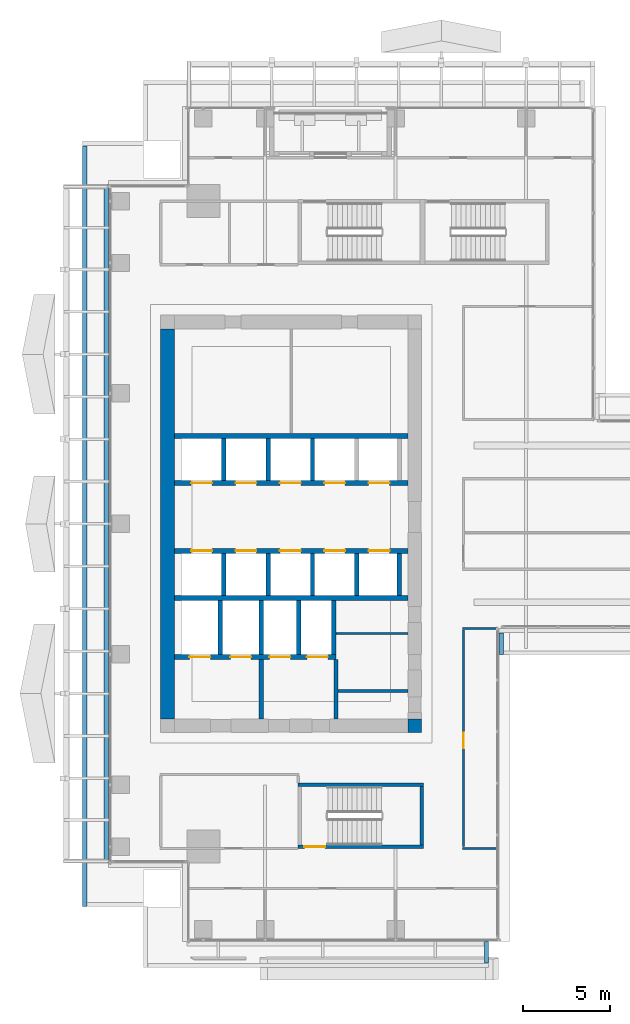
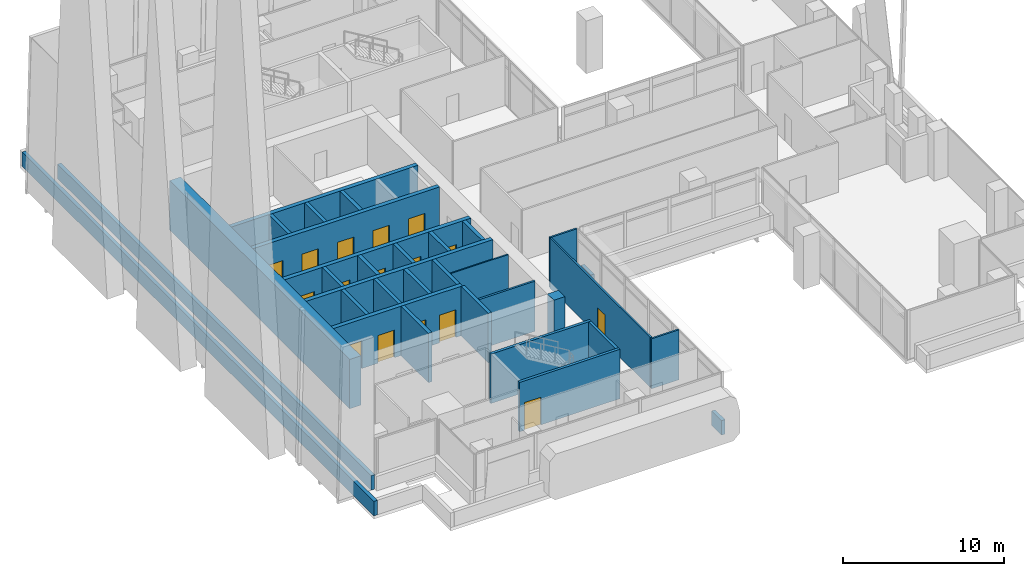
# One storey, part 34 of 43: 33 walls, 16 doors, 16 openings.
"""IFC4 building model written with IfcOpenShell, lengths in metres."""

import ifcopenshell
import ifcopenshell.guid

model = None  # the IFC model being written
_history = None  # IfcOwnerHistory: only IFC2X3 demands one
_inside = {}  # id of a spatial element -> (the spatial element, [elements in it])
_under = {}  # id of a project, library or spatial element -> (it, [spatial elements below it])
_declared = {}  # id of a project -> (the project, [libraries it declares])
_typed = {}  # id of a type object -> (the type object, [elements of that type])
_made_of = {}  # id of a material, layer set ... -> (it, [elements and type objects made of it])


def new_model(schema):
    """Start an empty IFC model of exactly this schema.

    Asked for "IFC4X3", IfcOpenShell would pick the latest addendum, in which some entities
    have other attributes; the version numbers below select the first issue.
    IFC2X3 requires an IfcOwnerHistory on every rooted entity: one is made here for all.
    """
    global model, _history
    if schema == "IFC4X3":
        model = ifcopenshell.file(schema_version=(4, 3, 0, 0))
    else:
        model = ifcopenshell.file(schema=schema)
    _inside.clear()
    _under.clear()
    _declared.clear()
    _typed.clear()
    _made_of.clear()
    _history = None
    if model.schema == "IFC2X3":
        org = make("IfcOrganization", Name="unknown")
        user = make(
            "IfcPersonAndOrganization",
            ThePerson=make("IfcPerson", FamilyName="unknown"),
            TheOrganization=org,
        )
        app = make(
            "IfcApplication",
            ApplicationDeveloper=org,
            Version="unknown",
            ApplicationFullName="unknown",
            ApplicationIdentifier="unknown",
        )
        _history = make(
            "IfcOwnerHistory",
            OwningUser=user,
            OwningApplication=app,
            ChangeAction="ADDED",
            CreationDate=0,
        )
    return model


def make(cls, **values):
    """One entity of the class cls with the attributes given. An attribute that is None is left unset."""
    return model.create_entity(
        cls, **{name: value for name, value in values.items() if value is not None}
    )


def rooted(cls, **values):
    """An entity with a GlobalId (a new one), such as an element, a storey or a relation."""
    return make(cls, GlobalId=ifcopenshell.guid.new(), OwnerHistory=_history, **values)


def si_unit(unit_type, name, prefix=None):
    """IfcSIUnit, for example si_unit("LENGTHUNIT", "METRE", prefix="MILLI")."""
    return make("IfcSIUnit", UnitType=unit_type, Prefix=prefix, Name=name)


def assignment(units):
    """IfcUnitAssignment: the units of a project."""
    return None if units is None else make("IfcUnitAssignment", Units=units)


def point(xyz):
    """IfcCartesianPoint."""
    return None if xyz is None else make("IfcCartesianPoint", Coordinates=xyz)


def direction(xyz):
    """IfcDirection."""
    return None if xyz is None else make("IfcDirection", DirectionRatios=xyz)


def frame(location, z_axis=None, x_axis=None):
    """IfcAxis2Placement3D, a coordinate frame: its origin and axes. An axis left out is left unset."""
    return make(
        "IfcAxis2Placement3D",
        Location=point(location),
        Axis=direction(z_axis),
        RefDirection=direction(x_axis),
    )


def frame_2d(location, x_axis=None):
    """IfcAxis2Placement2D, a coordinate frame in the plane: its origin and x axis."""
    return make(
        "IfcAxis2Placement2D", Location=point(location), RefDirection=direction(x_axis)
    )


def origin():
    """The frame at (0, 0, 0) with its axes left unset."""
    return frame((0.0, 0.0, 0.0))


def place(relative_to, where):
    """IfcLocalPlacement: puts the frame where relative to a parent placement (None: the world)."""
    return make(
        "IfcLocalPlacement", PlacementRelTo=relative_to, RelativePlacement=where
    )


def context(
    kind, dimensions, precision=None, world=None, true_north=None, identifier=None
):
    """IfcGeometricRepresentationContext, for example the 3D "Model" context."""
    return make(
        "IfcGeometricRepresentationContext",
        ContextIdentifier=identifier,
        ContextType=kind,
        CoordinateSpaceDimension=dimensions,
        Precision=precision,
        WorldCoordinateSystem=world,
        TrueNorth=true_north,
    )


def subcontext(parent, identifier, kind, view, scale=None):
    """IfcGeometricRepresentationSubContext, for example "Body" below "Model"."""
    return make(
        "IfcGeometricRepresentationSubContext",
        ContextIdentifier=identifier,
        ContextType=kind,
        ParentContext=parent,
        TargetScale=scale,
        TargetView=view,
    )


def project(units=None, contexts=None):
    """IfcProject with its units and contexts."""
    return rooted(
        "IfcProject",
        Name="project",
        RepresentationContexts=contexts,
        UnitsInContext=assignment(units),
    )


def spatial(cls, under=None, at=None, **own):
    """A site, building, storey or space (cls), placed at a placement, below another one or the project."""
    s = rooted(cls, ObjectPlacement=at, **own)
    if under is not None:
        _under.setdefault(under.id(), (under, []))[1].append(s)
    return s


def profile(cls, at=None, kind="AREA", **sizes):
    """A parametric profile (cls). Its sizes go by their IFC names, for example OverallWidth=200.0."""
    return make(cls, ProfileType=kind, Position=at, **sizes)


def rectangle(**sizes):
    """IfcRectangleProfileDef."""
    return profile("IfcRectangleProfileDef", **sizes)


def extrude(swept, where, along, depth):
    """IfcExtrudedAreaSolid: the profile swept, set in the frame where, extruded along a direction by depth."""
    return make(
        "IfcExtrudedAreaSolid",
        SweptArea=swept,
        Position=where,
        ExtrudedDirection=direction(along),
        Depth=depth,
    )


def shape(context_of_items, identifier, shape_type, items):
    """IfcShapeRepresentation: the items that make up one representation, for example the "Body"."""
    return make(
        "IfcShapeRepresentation",
        ContextOfItems=context_of_items,
        RepresentationIdentifier=identifier,
        RepresentationType=shape_type,
        Items=items,
    )


def source(mapping_origin, context_of_items, identifier, shape_type, items):
    """IfcRepresentationMap: a shape defined once, which mapped items show again and again."""
    return make(
        "IfcRepresentationMap",
        MappingOrigin=mapping_origin,
        MappedRepresentation=shape(context_of_items, identifier, shape_type, items),
    )


def transform(
    local_origin,
    x_axis=None,
    y_axis=None,
    z_axis=None,
    scale=None,
    scale2=None,
    scale3=None,
    uniform=True,
):
    """IfcCartesianTransformationOperator3D, or its non-uniform kind. x_axis, y_axis, z_axis: its Axis1, 2, 3."""
    if uniform:
        return make(
            "IfcCartesianTransformationOperator3D",
            Axis1=direction(x_axis),
            Axis2=direction(y_axis),
            LocalOrigin=point(local_origin),
            Scale=scale,
            Axis3=direction(z_axis),
        )
    return make(
        "IfcCartesianTransformationOperator3DnonUniform",
        Axis1=direction(x_axis),
        Axis2=direction(y_axis),
        LocalOrigin=point(local_origin),
        Scale=scale,
        Axis3=direction(z_axis),
        Scale2=scale2,
        Scale3=scale3,
    )


def mapped(mapping_source, mapping_target):
    """IfcMappedItem: shows the shape of a source again, moved by a transform."""
    return make(
        "IfcMappedItem", MappingSource=mapping_source, MappingTarget=mapping_target
    )


def material(Name=None, Category=None):
    """IfcMaterial."""
    return make("IfcMaterial", Name=Name, Category=Category)


def layer(
    of_material, thickness, ventilated=None, Name=None, Category=None, Priority=None
):
    """IfcMaterialLayer: one layer of a wall or slab, of a material (None: an air gap)."""
    return make(
        "IfcMaterialLayer",
        Material=of_material,
        LayerThickness=thickness,
        IsVentilated=ventilated,
        Name=Name,
        Category=Category,
        Priority=Priority,
    )


def layer_set(layers, Name=None):
    """IfcMaterialLayerSet."""
    return make("IfcMaterialLayerSet", MaterialLayers=layers, LayerSetName=Name)


def made_of(thing, what):
    """Note that an element or type object is made of a material, layer set ...; save() writes the relation."""
    if what is not None:
        _made_of.setdefault(what.id(), (what, []))[1].append(thing)
    return thing


def type_object(cls, material=None, **own):
    """A type object (cls), such as IfcWallType, which elements share."""
    return made_of(rooted(cls, **own), material)


def element(
    cls,
    number,
    at=None,
    inside=None,
    cuts=None,
    type_object=None,
    material=None,
    context=None,
    identifier="Body",
    shape_type=None,
    held_by="IfcProductDefinitionShape",
    body=None,
    shapes=None,
    **own,
):
    """One element of the class cls, such as IfcWall. Its Tag is "e" and its number.

    at: its placement. inside: the storey or other place that contains it. cuts: it is an
    opening in that element (IfcRelVoidsElement). A single representation is given by context,
    identifier, shape_type and body (its items); several are given by shapes. held_by: the class
    of the entity that holds the representations. save() writes the other relations.
    """
    e = rooted(cls, Tag="e%d" % number, ObjectPlacement=at, **own)
    if body is not None:
        shapes = [shape(context, identifier, shape_type, body)]
    if shapes is not None:
        e.Representation = make(held_by, Representations=shapes)
    if inside is not None:
        _inside.setdefault(inside.id(), (inside, []))[1].append(e)
    if cuts is not None:
        rooted(
            "IfcRelVoidsElement", RelatingBuildingElement=cuts, RelatedOpeningElement=e
        )
    if type_object is not None:
        _typed.setdefault(type_object.id(), (type_object, []))[1].append(e)
    return made_of(e, material)


def fill(opening, filler):
    """IfcRelFillsElement: the door or window that sits in an opening."""
    return rooted(
        "IfcRelFillsElement",
        RelatingOpeningElement=opening,
        RelatedBuildingElement=filler,
    )


def aggregate(whole, parts):
    """IfcRelAggregates: a whole, such as a stair, and the parts it consists of."""
    return rooted("IfcRelAggregates", RelatingObject=whole, RelatedObjects=parts)


def save(model, path):
    """Write the relations noted so far, then the file.

    IfcRelAggregates (storeys below a building ...), IfcRelContainedInSpatialStructure (elements
    in a storey), IfcRelDefinesByType, IfcRelAssociatesMaterial and IfcRelDeclares: one each for
    every whole, place, type object, material and project.
    """
    for whole, parts in _under.values():
        aggregate(whole, parts)
    for where, things in _inside.values():
        rooted(
            "IfcRelContainedInSpatialStructure",
            RelatedElements=things,
            RelatingStructure=where,
        )
    for kind, things in _typed.values():
        rooted("IfcRelDefinesByType", RelatedObjects=things, RelatingType=kind)
    for what, things in _made_of.values():
        rooted("IfcRelAssociatesMaterial", RelatedObjects=things, RelatingMaterial=what)
    for by, libraries in _declared.values():
        rooted("IfcRelDeclares", RelatingContext=by, RelatedDefinitions=libraries)
    model.write(path)


model = new_model("IFC4")

# Units and contexts
model_context = context("Model", 3, precision=1e-05, world=origin(), true_north=direction((0.0, 1.0)))
body_context = subcontext(model_context, "Body", "Model", "MODEL_VIEW")
ifc_project = project(units=[si_unit("LENGTHUNIT", "METRE"), si_unit("AREAUNIT", "SQUARE_METRE"), si_unit("VOLUMEUNIT", "CUBIC_METRE"), si_unit("PLANEANGLEUNIT", "RADIAN"), si_unit("MASSUNIT", "GRAM", prefix="KILO")], contexts=[model_context])

# Site, building, storey
site_placement = place(None, origin())
site = spatial("IfcSite", under=ifc_project, at=site_placement, CompositionType="ELEMENT")
building_placement = place(site_placement, origin())
building = spatial("IfcBuilding", under=site, at=building_placement, Name="Khomas Fold Tower", CompositionType="ELEMENT")
storey_placement = place(building_placement, frame((0.0, 0.0, 164.699951171875)))
storey = spatial("IfcBuildingStorey", under=building, at=storey_placement, Name="L35", CompositionType="ELEMENT", Elevation=164.699951171875)

# Walls
ifc_material_1 = material(Name="Concrete C60/75", Category="concrete")
ifc_layer_1 = layer(ifc_material_1, 0.800048828125)
ifc_layer_set_1 = layer_set([ifc_layer_1], Name="Concrete C60/75")
wall_type_1 = type_object("IfcWallType", Name="Core corner wall 800", PredefinedType="SHEAR", material=ifc_layer_set_1)
shared_shape_1 = source(origin(), body_context, "Body", "SweptSolid", [
    extrude(rectangle(XDim=0.800048828125, YDim=0.800048828125, at=frame_2d((0.39990234375, 0.0))), origin(), (0.0, 0.0, 1.0), 3.75),
])
wall_1_placement = place(storey_placement, frame((20.199951171875, 15.39990234375, 0.0), z_axis=(0.0, 0.0, 1.0), x_axis=(1.0, 0.0, 0.0)))
element("IfcWall", 1, at=wall_1_placement, inside=storey, type_object=wall_type_1, Name="Core wall CW-U-SE-L35", PredefinedType="SHEAR", context=body_context, shape_type="MappedRepresentation", body=[
    mapped(shared_shape_1, transform((0.0, 0.0, 0.0))),
])
ifc_material_2 = material(Name="Concrete C60/75", Category="concrete")
ifc_layer_2 = layer(ifc_material_2, 0.800048828125)
ifc_layer_set_2 = layer_set([ifc_layer_2], Name="Concrete C60/75")
wall_type_2 = type_object("IfcWallType", Name="Core wall 800", PredefinedType="SHEAR", material=ifc_layer_set_2)
shared_shape_2 = source(origin(), body_context, "Body", "SweptSolid", [
    extrude(rectangle(XDim=22.39990234375, YDim=0.800048828125, at=frame_2d((11.199951171875, 0.0))), origin(), (0.0, 0.0, 1.0), 3.75),
])
wall_2_placement = place(storey_placement, frame((6.39990234375, 15.800048828125, 0.0), z_axis=(0.0, 0.0, 1.0), x_axis=(0.0, 1.0, 0.0)))
element("IfcWall", 2, at=wall_2_placement, inside=storey, type_object=wall_type_2, Name="Core wall CW-U-W-L35", PredefinedType="SHEAR", context=body_context, shape_type="MappedRepresentation", body=[
    mapped(shared_shape_2, transform((0.0, 0.0, 0.0))),
])
ifc_material_3 = material(Name="Concrete C50/60", Category="concrete")
ifc_layer_3 = layer(ifc_material_3, 0.199951171875)
ifc_layer_set_3 = layer_set([ifc_layer_3], Name="Concrete C50/60")
wall_type_3 = type_object("IfcWallType", Name="Stair wall 200", PredefinedType="SHEAR", material=ifc_layer_set_3)
shared_shape_3 = source(origin(), body_context, "Body", "SweptSolid", [
    extrude(rectangle(XDim=7.2001953125, YDim=0.199951171875, at=frame_2d((3.60009765625, 0.0))), origin(), (0.0, 0.0, 1.0), 3.75),
])
wall_3_placement = place(storey_placement, frame((13.89990234375, 12.0, 0.0), z_axis=(0.0, 0.0, 1.0), x_axis=(1.0, 0.0, 0.0)))
element("IfcWall", 3, at=wall_3_placement, inside=storey, type_object=wall_type_3, Name="Stair wall SW-ST2-NH", PredefinedType="SHEAR", context=body_context, shape_type="MappedRepresentation", body=[
    mapped(shared_shape_3, transform((0.0, 0.0, 0.0))),
])

# Wall, opening, door
wall_4_placement = place(storey_placement, frame((13.89990234375, 8.449951171875, 0.0), z_axis=(0.0, 0.0, 1.0), x_axis=(1.0, 0.0, 0.0)))
wall_4 = element("IfcWall", 4, at=wall_4_placement, inside=storey, type_object=wall_type_3, Name="Stair wall SW-ST2-S", PredefinedType="SHEAR", context=body_context, shape_type="MappedRepresentation", body=[
    mapped(shared_shape_3, transform((0.0, 0.0, 0.0))),
])
shared_shape_4 = source(origin(), body_context, "Body", "SweptSolid", [
    extrude(rectangle(XDim=1.199951171875, YDim=2.10009765625, at=frame_2d((0.60009765625, 1.050048828125))), frame((0.0, 0.10986328125, 0.0), z_axis=(0.0, -1.0, 0.0), x_axis=(1.0, 0.0, 0.0)), (0.0, 0.0, 1.0), 0.219970703125),
])
opening_1_placement = place(wall_4_placement, frame((0.35009765625, 0.0, 0.0)))
opening_1 = element("IfcOpeningElement", 5, at=opening_1_placement, cuts=wall_4, Name="Opening SD-ST2", PredefinedType="OPENING", context=body_context, shape_type="MappedRepresentation", body=[
    mapped(shared_shape_4, transform((0.0, 0.0, 0.0))),
])
ifc_material_4 = material(Name="Steel door leaf", Category="steel")
door_type_1 = type_object("IfcDoorType", Name="Stair door 1200x2100 right-hand", OperationType="SINGLE_SWING_RIGHT", PredefinedType="DOOR", material=ifc_material_4)
shared_shape_5 = source(origin(), body_context, "Body", "SweptSolid", [
    extrude(rectangle(XDim=1.199951171875, YDim=2.10009765625, at=frame_2d((0.60009765625, 1.050048828125))), frame((0.0, 0.02490234375, 0.0), z_axis=(0.0, -1.0, 0.0), x_axis=(1.0, 0.0, 0.0)), (0.0, 0.0, 1.0), 0.050048828125),
])
door_1_placement = place(opening_1_placement, origin())
door_1 = element("IfcDoor", 6, at=door_1_placement, inside=storey, type_object=door_type_1, Name="Stair door", OperationType="SINGLE_SWING_RIGHT", OverallHeight=2.10009765625, OverallWidth=1.199951171875, PredefinedType="DOOR", context=body_context, shape_type="MappedRepresentation", body=[
    mapped(shared_shape_5, transform((0.0, 0.0, 0.0))),
])
fill(opening_1, door_1)

# Walls
shared_shape_6 = source(origin(), body_context, "Body", "SweptSolid", [
    extrude(rectangle(XDim=3.349853515625, YDim=0.199951171875, at=frame_2d((1.6748046875, 0.0))), origin(), (0.0, 0.0, 1.0), 3.75),
])
wall_5_placement = place(storey_placement, frame((21.0, 8.550048828125, 0.0), z_axis=(0.0, 0.0, 1.0), x_axis=(0.0, 1.0, 0.0)))
element("IfcWall", 7, at=wall_5_placement, inside=storey, type_object=wall_type_3, Name="Stair wall SW-ST2-E", PredefinedType="SHEAR", context=body_context, shape_type="MappedRepresentation", body=[
    mapped(shared_shape_6, transform((0.0, 0.0, 0.0))),
])
ifc_material_5 = material(Name="Concrete C50/60", Category="concrete")
ifc_layer_4 = layer(ifc_material_5, 0.300048828125)
ifc_layer_set_4 = layer_set([ifc_layer_4], Name="Concrete C50/60")
wall_type_4 = type_object("IfcWallType", Name="Shaft wall 300", PredefinedType="STANDARD", material=ifc_layer_set_4)
shared_shape_7 = source(origin(), body_context, "Body", "SweptSolid", [
    extrude(rectangle(XDim=13.39990234375, YDim=0.300048828125, at=frame_2d((6.699951171875, 0.0))), origin(), (0.0, 0.0, 1.0), 3.75),
])
for number, where, z_axis, x_axis, name in (
    (8, (6.800048828125, 22.75, 0.0), (0.0, 0.0, 1.0), (1.0, 0.0, 0.0), "Core wall SW-FS-B"),
    (9, (6.800048828125, 32.050048828125, 0.0), (0.0, 0.0, 1.0), (1.0, 0.0, 0.0), "Core wall SW-HRN-B"),
):
    element("IfcWall", number, at=place(storey_placement, frame(where, z_axis=z_axis, x_axis=x_axis)), inside=storey, type_object=wall_type_4, Name=name, PredefinedType="STANDARD", context=body_context, shape_type="MappedRepresentation", body=[
        mapped(shared_shape_7, transform((0.0, 0.0, 0.0))),
    ])

# Wall, openings, doors
wall_6_placement = place(storey_placement, frame((6.800048828125, 29.35009765625, 0.0), z_axis=(0.0, 0.0, 1.0), x_axis=(1.0, 0.0, 0.0)))
wall_6 = element("IfcWall", 10, at=wall_6_placement, inside=storey, type_object=wall_type_4, Name="Core wall SW-HRN-F", PredefinedType="STANDARD", context=body_context, shape_type="MappedRepresentation", body=[
    mapped(shared_shape_7, transform((0.0, 0.0, 0.0))),
])
shared_shape_8 = source(origin(), body_context, "Body", "SweptSolid", [
    extrude(rectangle(XDim=1.199951171875, YDim=2.10009765625, at=frame_2d((0.60009765625, 1.050048828125))), frame((0.0, 0.159912109375, 0.0), z_axis=(0.0, -1.0, 0.0), x_axis=(1.0, 0.0, 0.0)), (0.0, 0.0, 1.0), 0.320068359375),
])
opening_2_placement = place(wall_6_placement, frame((0.949951171875, 0.0, 0.0)))
opening_2 = element("IfcOpeningElement", 11, at=opening_2_placement, cuts=wall_6, Name="Opening LD-HR4", PredefinedType="OPENING", context=body_context, shape_type="MappedRepresentation", body=[
    mapped(shared_shape_8, transform((0.0, 0.0, 0.0))),
])
opening_3_placement = place(wall_6_placement, frame((3.5, 0.0, 0.0)))
opening_3 = element("IfcOpeningElement", 12, at=opening_3_placement, cuts=wall_6, Name="Opening LD-HR5", PredefinedType="OPENING", context=body_context, shape_type="MappedRepresentation", body=[
    mapped(shared_shape_8, transform((0.0, 0.0, 0.0))),
])
opening_4_placement = place(wall_6_placement, frame((6.050048828125, 0.0, 0.0)))
opening_4 = element("IfcOpeningElement", 13, at=opening_4_placement, cuts=wall_6, Name="Opening LD-HR6", PredefinedType="OPENING", context=body_context, shape_type="MappedRepresentation", body=[
    mapped(shared_shape_8, transform((0.0, 0.0, 0.0))),
])
opening_5_placement = place(wall_6_placement, frame((8.60009765625, 0.0, 0.0)))
opening_5 = element("IfcOpeningElement", 14, at=opening_5_placement, cuts=wall_6, Name="Opening LD-MR3", PredefinedType="OPENING", context=body_context, shape_type="MappedRepresentation", body=[
    mapped(shared_shape_8, transform((0.0, 0.0, 0.0))),
])
opening_6_placement = place(wall_6_placement, frame((11.14990234375, 0.0, 0.0)))
opening_6 = element("IfcOpeningElement", 15, at=opening_6_placement, cuts=wall_6, Name="Opening LD-MR4", PredefinedType="OPENING", context=body_context, shape_type="MappedRepresentation", body=[
    mapped(shared_shape_8, transform((0.0, 0.0, 0.0))),
])
ifc_material_6 = material(Name="Steel door leaf", Category="steel")
door_type_2 = type_object("IfcDoorType", Name="Landing door 1200x2100", OperationType="DOUBLE_DOOR_SLIDING", PredefinedType="DOOR", material=ifc_material_6)
door_2_placement = place(opening_2_placement, origin())
door_2 = element("IfcDoor", 16, at=door_2_placement, inside=storey, type_object=door_type_2, Name="Lift landing door", OperationType="DOUBLE_DOOR_SLIDING", OverallHeight=2.10009765625, OverallWidth=1.199951171875, PredefinedType="DOOR", context=body_context, shape_type="MappedRepresentation", body=[
    mapped(shared_shape_5, transform((0.0, 0.0, 0.0))),
])
fill(opening_2, door_2)
door_3_placement = place(opening_3_placement, origin())
door_3 = element("IfcDoor", 17, at=door_3_placement, inside=storey, type_object=door_type_2, Name="Lift landing door", OperationType="DOUBLE_DOOR_SLIDING", OverallHeight=2.10009765625, OverallWidth=1.199951171875, PredefinedType="DOOR", context=body_context, shape_type="MappedRepresentation", body=[
    mapped(shared_shape_5, transform((0.0, 0.0, 0.0))),
])
fill(opening_3, door_3)
door_4_placement = place(opening_4_placement, origin())
door_4 = element("IfcDoor", 18, at=door_4_placement, inside=storey, type_object=door_type_2, Name="Lift landing door", OperationType="DOUBLE_DOOR_SLIDING", OverallHeight=2.10009765625, OverallWidth=1.199951171875, PredefinedType="DOOR", context=body_context, shape_type="MappedRepresentation", body=[
    mapped(shared_shape_5, transform((0.0, 0.0, 0.0))),
])
fill(opening_4, door_4)
door_5_placement = place(opening_5_placement, origin())
door_5 = element("IfcDoor", 19, at=door_5_placement, inside=storey, type_object=door_type_2, Name="Lift landing door", OperationType="DOUBLE_DOOR_SLIDING", OverallHeight=2.10009765625, OverallWidth=1.199951171875, PredefinedType="DOOR", context=body_context, shape_type="MappedRepresentation", body=[
    mapped(shared_shape_5, transform((0.0, 0.0, 0.0))),
])
fill(opening_5, door_5)
door_6_placement = place(opening_6_placement, origin())
door_6 = element("IfcDoor", 20, at=door_6_placement, inside=storey, type_object=door_type_2, Name="Lift landing door", OperationType="DOUBLE_DOOR_SLIDING", OverallHeight=2.10009765625, OverallWidth=1.199951171875, PredefinedType="DOOR", context=body_context, shape_type="MappedRepresentation", body=[
    mapped(shared_shape_5, transform((0.0, 0.0, 0.0))),
])
fill(opening_6, door_6)

wall_7_placement = place(storey_placement, frame((6.800048828125, 25.449951171875, 0.0), z_axis=(0.0, 0.0, 1.0), x_axis=(1.0, 0.0, 0.0)))
wall_7 = element("IfcWall", 21, at=wall_7_placement, inside=storey, type_object=wall_type_4, Name="Core wall SW-HRS-F", PredefinedType="STANDARD", context=body_context, shape_type="MappedRepresentation", body=[
    mapped(shared_shape_7, transform((0.0, 0.0, 0.0))),
])
opening_7_placement = place(wall_7_placement, frame((0.949951171875, 0.0, 0.0)))
opening_7 = element("IfcOpeningElement", 22, at=opening_7_placement, cuts=wall_7, Name="Opening LD-HR1", PredefinedType="OPENING", context=body_context, shape_type="MappedRepresentation", body=[
    mapped(shared_shape_8, transform((0.0, 0.0, 0.0))),
])
opening_8_placement = place(wall_7_placement, frame((3.5, 0.0, 0.0)))
opening_8 = element("IfcOpeningElement", 23, at=opening_8_placement, cuts=wall_7, Name="Opening LD-HR2", PredefinedType="OPENING", context=body_context, shape_type="MappedRepresentation", body=[
    mapped(shared_shape_8, transform((0.0, 0.0, 0.0))),
])
opening_9_placement = place(wall_7_placement, frame((6.050048828125, 0.0, 0.0)))
opening_9 = element("IfcOpeningElement", 24, at=opening_9_placement, cuts=wall_7, Name="Opening LD-HR3", PredefinedType="OPENING", context=body_context, shape_type="MappedRepresentation", body=[
    mapped(shared_shape_8, transform((0.0, 0.0, 0.0))),
])
opening_10_placement = place(wall_7_placement, frame((8.60009765625, 0.0, 0.0)))
opening_10 = element("IfcOpeningElement", 25, at=opening_10_placement, cuts=wall_7, Name="Opening LD-MR1", PredefinedType="OPENING", context=body_context, shape_type="MappedRepresentation", body=[
    mapped(shared_shape_8, transform((0.0, 0.0, 0.0))),
])
opening_11_placement = place(wall_7_placement, frame((11.14990234375, 0.0, 0.0)))
opening_11 = element("IfcOpeningElement", 26, at=opening_11_placement, cuts=wall_7, Name="Opening LD-MR2", PredefinedType="OPENING", context=body_context, shape_type="MappedRepresentation", body=[
    mapped(shared_shape_8, transform((0.0, 0.0, 0.0))),
])
door_7_placement = place(opening_7_placement, origin())
door_7 = element("IfcDoor", 27, at=door_7_placement, inside=storey, type_object=door_type_2, Name="Lift landing door", OperationType="DOUBLE_DOOR_SLIDING", OverallHeight=2.10009765625, OverallWidth=1.199951171875, PredefinedType="DOOR", context=body_context, shape_type="MappedRepresentation", body=[
    mapped(shared_shape_5, transform((0.0, 0.0, 0.0))),
])
fill(opening_7, door_7)
door_8_placement = place(opening_8_placement, origin())
door_8 = element("IfcDoor", 28, at=door_8_placement, inside=storey, type_object=door_type_2, Name="Lift landing door", OperationType="DOUBLE_DOOR_SLIDING", OverallHeight=2.10009765625, OverallWidth=1.199951171875, PredefinedType="DOOR", context=body_context, shape_type="MappedRepresentation", body=[
    mapped(shared_shape_5, transform((0.0, 0.0, 0.0))),
])
fill(opening_8, door_8)
door_9_placement = place(opening_9_placement, origin())
door_9 = element("IfcDoor", 29, at=door_9_placement, inside=storey, type_object=door_type_2, Name="Lift landing door", OperationType="DOUBLE_DOOR_SLIDING", OverallHeight=2.10009765625, OverallWidth=1.199951171875, PredefinedType="DOOR", context=body_context, shape_type="MappedRepresentation", body=[
    mapped(shared_shape_5, transform((0.0, 0.0, 0.0))),
])
fill(opening_9, door_9)
door_10_placement = place(opening_10_placement, origin())
door_10 = element("IfcDoor", 30, at=door_10_placement, inside=storey, type_object=door_type_2, Name="Lift landing door", OperationType="DOUBLE_DOOR_SLIDING", OverallHeight=2.10009765625, OverallWidth=1.199951171875, PredefinedType="DOOR", context=body_context, shape_type="MappedRepresentation", body=[
    mapped(shared_shape_5, transform((0.0, 0.0, 0.0))),
])
fill(opening_10, door_10)
door_11_placement = place(opening_11_placement, origin())
door_11 = element("IfcDoor", 31, at=door_11_placement, inside=storey, type_object=door_type_2, Name="Lift landing door", OperationType="DOUBLE_DOOR_SLIDING", OverallHeight=2.10009765625, OverallWidth=1.199951171875, PredefinedType="DOOR", context=body_context, shape_type="MappedRepresentation", body=[
    mapped(shared_shape_5, transform((0.0, 0.0, 0.0))),
])
fill(opening_11, door_11)

shared_shape_9 = source(origin(), body_context, "Body", "SweptSolid", [
    extrude(rectangle(XDim=9.27490234375, YDim=0.300048828125, at=frame_2d((4.637451171875, 0.0))), origin(), (0.0, 0.0, 1.0), 3.75),
])
wall_8_placement = place(storey_placement, frame((6.800048828125, 19.35009765625, 0.0), z_axis=(0.0, 0.0, 1.0), x_axis=(1.0, 0.0, 0.0)))
wall_8 = element("IfcWall", 32, at=wall_8_placement, inside=storey, type_object=wall_type_4, Name="Core wall SW-FS-F", PredefinedType="STANDARD", context=body_context, shape_type="MappedRepresentation", body=[
    mapped(shared_shape_9, transform((0.0, 0.0, 0.0))),
])
opening_12_placement = place(wall_8_placement, frame((0.85009765625, 0.0, 0.0)))
opening_12 = element("IfcOpeningElement", 33, at=opening_12_placement, cuts=wall_8, Name="Opening LD-SV1", PredefinedType="OPENING", context=body_context, shape_type="MappedRepresentation", body=[
    mapped(shared_shape_8, transform((0.0, 0.0, 0.0))),
])
opening_13_placement = place(wall_8_placement, frame((3.199951171875, 0.0, 0.0)))
opening_13 = element("IfcOpeningElement", 34, at=opening_13_placement, cuts=wall_8, Name="Opening LD-SV2", PredefinedType="OPENING", context=body_context, shape_type="MappedRepresentation", body=[
    mapped(shared_shape_8, transform((0.0, 0.0, 0.0))),
])
opening_14_placement = place(wall_8_placement, frame((5.449951171875, 0.0, 0.0)))
opening_14 = element("IfcOpeningElement", 35, at=opening_14_placement, cuts=wall_8, Name="Opening LD-FF1", PredefinedType="OPENING", context=body_context, shape_type="MappedRepresentation", body=[
    mapped(shared_shape_8, transform((0.0, 0.0, 0.0))),
])
opening_15_placement = place(wall_8_placement, frame((7.60009765625, 0.0, 0.0)))
opening_15 = element("IfcOpeningElement", 36, at=opening_15_placement, cuts=wall_8, Name="Opening LD-FF2", PredefinedType="OPENING", context=body_context, shape_type="MappedRepresentation", body=[
    mapped(shared_shape_8, transform((0.0, 0.0, 0.0))),
])
door_12_placement = place(opening_12_placement, origin())
door_12 = element("IfcDoor", 37, at=door_12_placement, inside=storey, type_object=door_type_2, Name="Lift landing door", OperationType="DOUBLE_DOOR_SLIDING", OverallHeight=2.10009765625, OverallWidth=1.199951171875, PredefinedType="DOOR", context=body_context, shape_type="MappedRepresentation", body=[
    mapped(shared_shape_5, transform((0.0, 0.0, 0.0))),
])
fill(opening_12, door_12)
door_13_placement = place(opening_13_placement, origin())
door_13 = element("IfcDoor", 38, at=door_13_placement, inside=storey, type_object=door_type_2, Name="Lift landing door", OperationType="DOUBLE_DOOR_SLIDING", OverallHeight=2.10009765625, OverallWidth=1.199951171875, PredefinedType="DOOR", context=body_context, shape_type="MappedRepresentation", body=[
    mapped(shared_shape_5, transform((0.0, 0.0, 0.0))),
])
fill(opening_13, door_13)
door_14_placement = place(opening_14_placement, origin())
door_14 = element("IfcDoor", 39, at=door_14_placement, inside=storey, type_object=door_type_2, Name="Lift landing door", OperationType="DOUBLE_DOOR_SLIDING", OverallHeight=2.10009765625, OverallWidth=1.199951171875, PredefinedType="DOOR", context=body_context, shape_type="MappedRepresentation", body=[
    mapped(shared_shape_5, transform((0.0, 0.0, 0.0))),
])
fill(opening_14, door_14)
door_15_placement = place(opening_15_placement, origin())
door_15 = element("IfcDoor", 40, at=door_15_placement, inside=storey, type_object=door_type_2, Name="Lift landing door", OperationType="DOUBLE_DOOR_SLIDING", OverallHeight=2.10009765625, OverallWidth=1.199951171875, PredefinedType="DOOR", context=body_context, shape_type="MappedRepresentation", body=[
    mapped(shared_shape_5, transform((0.0, 0.0, 0.0))),
])
fill(opening_15, door_15)

# Walls
ifc_material_7 = material(Name="Concrete C50/60", Category="concrete")
ifc_layer_5 = layer(ifc_material_7, 0.25)
ifc_layer_set_5 = layer_set([ifc_layer_5], Name="Concrete C50/60")
wall_type_5 = type_object("IfcWallType", Name="Shaft wall 250", PredefinedType="STANDARD", material=ifc_layer_set_5)
shared_shape_10 = source(origin(), body_context, "Body", "SweptSolid", [
    extrude(rectangle(XDim=3.10009765625, YDim=0.25, at=frame_2d((1.550048828125, 0.0))), origin(), (0.0, 0.0, 1.0), 3.75),
])
for number, where, z_axis, x_axis, name in (
    (41, (9.425048828125, 19.5, 0.0), (0.0, 0.0, 1.0), (0.0, 1.0, 0.0), "Core wall SW-FS-P1"),
    (42, (11.77490234375, 19.5, 0.0), (0.0, 0.0, 1.0), (0.0, 1.0, 0.0), "Core wall SW-FS-P2"),
    (43, (13.925048828125, 19.5, 0.0), (0.0, 0.0, 1.0), (0.0, 1.0, 0.0), "Core wall SW-FS-P3"),
    (44, (15.949951171875, 19.5, 0.0), (0.0, 0.0, 1.0), (0.0, 1.0, 0.0), "Core wall SW-FS-PE"),
):
    element("IfcWall", number, at=place(storey_placement, frame(where, z_axis=z_axis, x_axis=x_axis)), inside=storey, type_object=wall_type_5, Name=name, PredefinedType="STANDARD", context=body_context, shape_type="MappedRepresentation", body=[
        mapped(shared_shape_10, transform((0.0, 0.0, 0.0))),
    ])
shared_shape_11 = source(origin(), body_context, "Body", "SweptSolid", [
    extrude(rectangle(XDim=2.39990234375, YDim=0.25, at=frame_2d((1.199951171875, 0.0))), origin(), (0.0, 0.0, 1.0), 3.75),
])
for number, where, z_axis, x_axis, name in (
    (45, (9.625, 29.5, 0.0), (0.0, 0.0, 1.0), (0.0, 1.0, 0.0), "Core wall SW-HRN-P1"),
    (46, (12.175048828125, 29.5, 0.0), (0.0, 0.0, 1.0), (0.0, 1.0, 0.0), "Core wall SW-HRN-P2"),
    (47, (14.72509765625, 29.5, 0.0), (0.0, 0.0, 1.0), (0.0, 1.0, 0.0), "Core wall SW-HRN-PE"),
):
    element("IfcWall", number, at=place(storey_placement, frame(where, z_axis=z_axis, x_axis=x_axis)), inside=storey, type_object=wall_type_5, Name=name, PredefinedType="STANDARD", context=body_context, shape_type="MappedRepresentation", body=[
        mapped(shared_shape_11, transform((0.0, 0.0, 0.0))),
    ])
shared_shape_12 = source(origin(), body_context, "Body", "SweptSolid", [
    extrude(rectangle(XDim=2.400146484375, YDim=0.25, at=frame_2d((1.2001953125, 0.0))), origin(), (0.0, 0.0, 1.0), 3.75),
])
for number, where, z_axis, x_axis, name in (
    (48, (17.27490234375, 22.89990234375, 0.0), (0.0, 0.0, 1.0), (0.0, 1.0, 0.0), "Core wall SW-HRS-MR-P1"),
    (49, (19.699951171875, 22.89990234375, 0.0), (0.0, 0.0, 1.0), (0.0, 1.0, 0.0), "Core wall SW-HRS-MR-PE"),
    (50, (9.625, 22.89990234375, 0.0), (0.0, 0.0, 1.0), (0.0, 1.0, 0.0), "Core wall SW-HRS-P1"),
    (51, (12.175048828125, 22.89990234375, 0.0), (0.0, 0.0, 1.0), (0.0, 1.0, 0.0), "Core wall SW-HRS-P2"),
    (52, (14.72509765625, 22.89990234375, 0.0), (0.0, 0.0, 1.0), (0.0, 1.0, 0.0), "Core wall SW-HRS-PE"),
):
    element("IfcWall", number, at=place(storey_placement, frame(where, z_axis=z_axis, x_axis=x_axis)), inside=storey, type_object=wall_type_5, Name=name, PredefinedType="STANDARD", context=body_context, shape_type="MappedRepresentation", body=[
        mapped(shared_shape_12, transform((0.0, 0.0, 0.0))),
    ])
ifc_material_8 = material(Name="Concrete C50/60", Category="concrete")
ifc_layer_6 = layer(ifc_material_8, 0.25)
ifc_layer_set_6 = layer_set([ifc_layer_6], Name="Concrete C50/60")
wall_type_6 = type_object("IfcWallType", Name="Lobby wall 250", PredefinedType="STANDARD", material=ifc_layer_set_6)
shared_shape_13 = source(origin(), body_context, "Body", "SweptSolid", [
    extrude(rectangle(XDim=3.39990234375, YDim=0.25, at=frame_2d((1.699951171875, 0.0))), origin(), (0.0, 0.0, 1.0), 3.75),
])
for number, where, z_axis, x_axis, name in (
    (53, (16.074951171875, 15.800048828125, 0.0), (0.0, 0.0, 1.0), (0.0, 1.0, 0.0), "Core wall SW-FS-LOB-E"),
    (54, (11.77490234375, 15.800048828125, 0.0), (0.0, 0.0, 1.0), (0.0, 1.0, 0.0), "Core wall SW-FS-SEP"),
):
    element("IfcWall", number, at=place(storey_placement, frame(where, z_axis=z_axis, x_axis=x_axis)), inside=storey, type_object=wall_type_6, Name=name, PredefinedType="STANDARD", context=body_context, shape_type="MappedRepresentation", body=[
        mapped(shared_shape_13, transform((0.0, 0.0, 0.0))),
    ])
ifc_material_9 = material(Name="Concrete C40/50", Category="concrete")
ifc_layer_7 = layer(ifc_material_9, 0.25)
ifc_layer_set_7 = layer_set([ifc_layer_7], Name="Concrete C40/50")
wall_type_7 = type_object("IfcWallType", Name="Setback roof parapet 250", PredefinedType="PARAPET", material=ifc_layer_set_7)
shared_shape_14 = source(origin(), body_context, "Body", "SweptSolid", [
    extrude(rectangle(XDim=39.0, YDim=0.25, at=frame_2d((19.5, 0.0))), origin(), (0.0, 0.0, 1.0), 1.10009765625),
])
wall_9_placement = place(storey_placement, frame((2.875, 7.5, 0.0), z_axis=(0.0, 0.0, 1.0), x_axis=(0.0, 1.0, 0.0)))
element("IfcWall", 55, at=wall_9_placement, inside=storey, type_object=wall_type_7, Name="Setback roof parapet", PredefinedType="SOLIDWALL", context=body_context, shape_type="MappedRepresentation", body=[
    mapped(shared_shape_14, transform((0.0, 0.0, 0.0))),
])
shared_shape_15 = source(origin(), body_context, "Body", "SweptSolid", [
    extrude(rectangle(XDim=1.22998046875, YDim=0.25, at=frame_2d((0.614990234375, 0.0))), origin(), (0.0, 0.0, 1.0), 1.10009765625),
])
for number, where, z_axis, x_axis, name in (
    (56, (25.574951171875, 20.72998046875, 0.0), (0.0, 0.0, 1.0), (0.0, -1.0, 0.0), "Setback roof parapet"),
    (57, (24.72509765625, 1.77001953125, 0.0), (0.0, 0.0, 1.0), (0.0, 1.0, 0.0), "Setback roof parapet"),
):
    element("IfcWall", number, at=place(storey_placement, frame(where, z_axis=z_axis, x_axis=x_axis)), inside=storey, type_object=wall_type_7, Name=name, PredefinedType="SOLIDWALL", context=body_context, shape_type="MappedRepresentation", body=[
        mapped(shared_shape_15, transform((0.0, 0.0, 0.0))),
    ])
shared_shape_16 = source(origin(), body_context, "Body", "SweptSolid", [
    extrude(rectangle(XDim=43.72998046875, YDim=0.25, at=frame_2d((21.864990234375, 0.0))), origin(), (0.0, 0.0, 1.0), 1.10009765625),
])
wall_10_placement = place(storey_placement, frame((1.625, 48.72998046875, 0.0), z_axis=(0.0, 0.0, 1.0), x_axis=(0.0, -1.0, 0.0)))
element("IfcWall", 58, at=wall_10_placement, inside=storey, type_object=wall_type_7, Name="Setback roof parapet", PredefinedType="SOLIDWALL", context=body_context, shape_type="MappedRepresentation", body=[
    mapped(shared_shape_16, transform((0.0, 0.0, 0.0))),
])
ifc_material_10 = material(Name="Plasterboard partition")
ifc_layer_8 = layer(ifc_material_10, 0.125)
ifc_layer_set_8 = layer_set([ifc_layer_8], Name="Plasterboard partition")
wall_type_8 = type_object("IfcWallType", Name="Partition PW2 125", PredefinedType="PARTITIONING", material=ifc_layer_set_8)
shared_shape_17 = source(origin(), body_context, "Body", "SweptSolid", [
    extrude(rectangle(XDim=1.949951171875, YDim=0.125, at=frame_2d((0.97509765625, 0.0))), origin(), (0.0, 0.0, 1.0), 3.800048828125),
])
for number, where, z_axis, x_axis, name in (
    (59, (23.35009765625, 8.35009765625, 0.0), (0.0, 0.0, 1.0), (1.0, 0.0, 0.0), "Partition"),
    (60, (23.35009765625, 21.0, 0.0), (0.0, 0.0, 1.0), (1.0, 0.0, 0.0), "Partition"),
):
    element("IfcWall", number, at=place(storey_placement, frame(where, z_axis=z_axis, x_axis=x_axis)), inside=storey, type_object=wall_type_8, Name=name, PredefinedType="PARTITIONING", context=body_context, shape_type="MappedRepresentation", body=[
        mapped(shared_shape_17, transform((0.0, 0.0, 0.0))),
    ])

# Wall, opening, door
shared_shape_18 = source(origin(), body_context, "Body", "SweptSolid", [
    extrude(rectangle(XDim=12.449951171875, YDim=0.125, at=frame_2d((6.22509765625, 0.0))), origin(), (0.0, 0.0, 1.0), 3.800048828125),
])
wall_11_placement = place(storey_placement, frame((23.39990234375, 8.449951171875, 0.0), z_axis=(0.0, 0.0, 1.0), x_axis=(0.0, 1.0, 0.0)))
wall_11 = element("IfcWall", 61, at=wall_11_placement, inside=storey, type_object=wall_type_8, Name="Partition", PredefinedType="PARTITIONING", context=body_context, shape_type="MappedRepresentation", body=[
    mapped(shared_shape_18, transform((0.0, 0.0, 0.0))),
])
shared_shape_19 = source(origin(), body_context, "Body", "SweptSolid", [
    extrude(rectangle(XDim=0.89990234375, YDim=2.10009765625, at=frame_2d((0.449951171875, 1.050048828125))), frame((0.0, 0.072509765625, 0.0), z_axis=(0.0, -1.0, 0.0), x_axis=(1.0, 0.0, 0.0)), (0.0, 0.0, 1.0), 0.14501953125),
])
opening_16_placement = place(wall_11_placement, frame((5.64990234375, 0.0, 0.0)))
opening_16 = element("IfcOpeningElement", 62, at=opening_16_placement, cuts=wall_11, Name="Opening 0007", PredefinedType="OPENING", context=body_context, shape_type="MappedRepresentation", body=[
    mapped(shared_shape_19, transform((0.0, 0.0, 0.0))),
])
ifc_material_11 = material(Name="Timber door leaf", Category="wood")
door_type_3 = type_object("IfcDoorType", Name="Door 900x2100 left-hand", OperationType="SINGLE_SWING_LEFT", PredefinedType="DOOR", material=ifc_material_11)
shared_shape_20 = source(origin(), body_context, "Body", "SweptSolid", [
    extrude(rectangle(XDim=0.89990234375, YDim=2.10009765625, at=frame_2d((0.449951171875, 1.050048828125))), frame((0.0, 0.02490234375, 0.0), z_axis=(0.0, -1.0, 0.0), x_axis=(1.0, 0.0, 0.0)), (0.0, 0.0, 1.0), 0.050048828125),
])
door_16_placement = place(opening_16_placement, origin())
door_16 = element("IfcDoor", 63, at=door_16_placement, inside=storey, type_object=door_type_3, Name="Door", OperationType="SINGLE_SWING_LEFT", OverallHeight=2.10009765625, OverallWidth=0.89990234375, PredefinedType="DOOR", context=body_context, shape_type="MappedRepresentation", body=[
    mapped(shared_shape_20, transform((0.0, 0.0, 0.0))),
])
fill(opening_16, door_16)

# Walls
ifc_material_12 = material(Name="Plasterboard fire partition")
ifc_layer_9 = layer(ifc_material_12, 0.14990234375)
ifc_layer_set_9 = layer_set([ifc_layer_9], Name="Plasterboard fire partition")
wall_type_9 = type_object("IfcWallType", Name="Plant room wall PW3 150", PredefinedType="PARTITIONING", material=ifc_layer_set_9)
shared_shape_21 = source(origin(), body_context, "Body", "SweptSolid", [
    extrude(rectangle(XDim=4.0, YDim=0.14990234375, at=frame_2d((2.0, 0.0))), origin(), (0.0, 0.0, 1.0), 3.800048828125),
])
wall_12_placement = place(storey_placement, frame((16.199951171875, 17.39990234375, 0.0), z_axis=(0.0, 0.0, 1.0), x_axis=(1.0, 0.0, 0.0)))
element("IfcWall", 64, at=wall_12_placement, inside=storey, type_object=wall_type_9, Name="Plant room wall", PredefinedType="PARTITIONING", context=body_context, shape_type="MappedRepresentation", body=[
    mapped(shared_shape_21, transform((0.0, 0.0, 0.0))),
])
ifc_material_13 = material(Name="Plasterboard partition")
ifc_layer_10 = layer(ifc_material_13, 0.10009765625)
ifc_layer_set_10 = layer_set([ifc_layer_10], Name="Plasterboard partition")
wall_type_10 = type_object("IfcWallType", Name="Partition PW1 100", PredefinedType="PARTITIONING", material=ifc_layer_set_10)
shared_shape_22 = source(origin(), body_context, "Body", "SweptSolid", [
    extrude(rectangle(XDim=4.099853515625, YDim=0.10009765625, at=frame_2d((2.0498046875, 0.0))), origin(), (0.0, 0.0, 1.0), 3.800048828125),
])
wall_13_placement = place(storey_placement, frame((16.10009765625, 20.699951171875, 0.0), z_axis=(0.0, 0.0, 1.0), x_axis=(1.0, 0.0, 0.0)))
element("IfcWall", 65, at=wall_13_placement, inside=storey, type_object=wall_type_10, Name="Partition", PredefinedType="PARTITIONING", context=body_context, shape_type="MappedRepresentation", body=[
    mapped(shared_shape_22, transform((0.0, 0.0, 0.0))),
])

save(model, "model.ifc")
